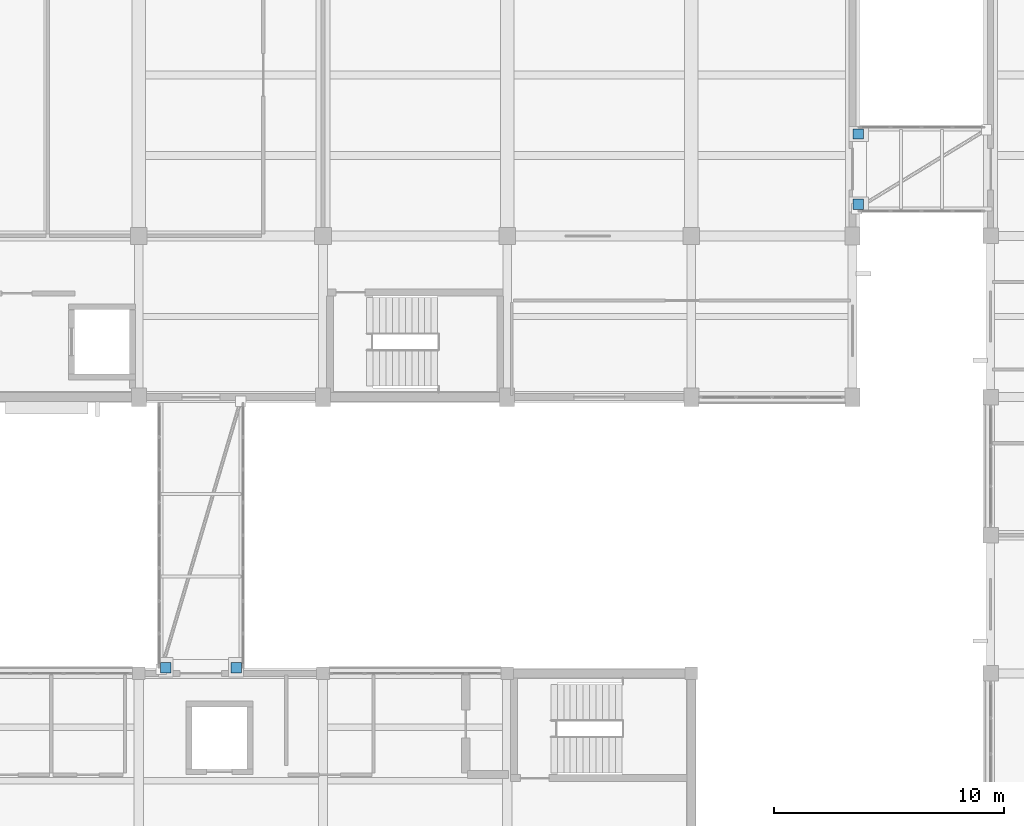
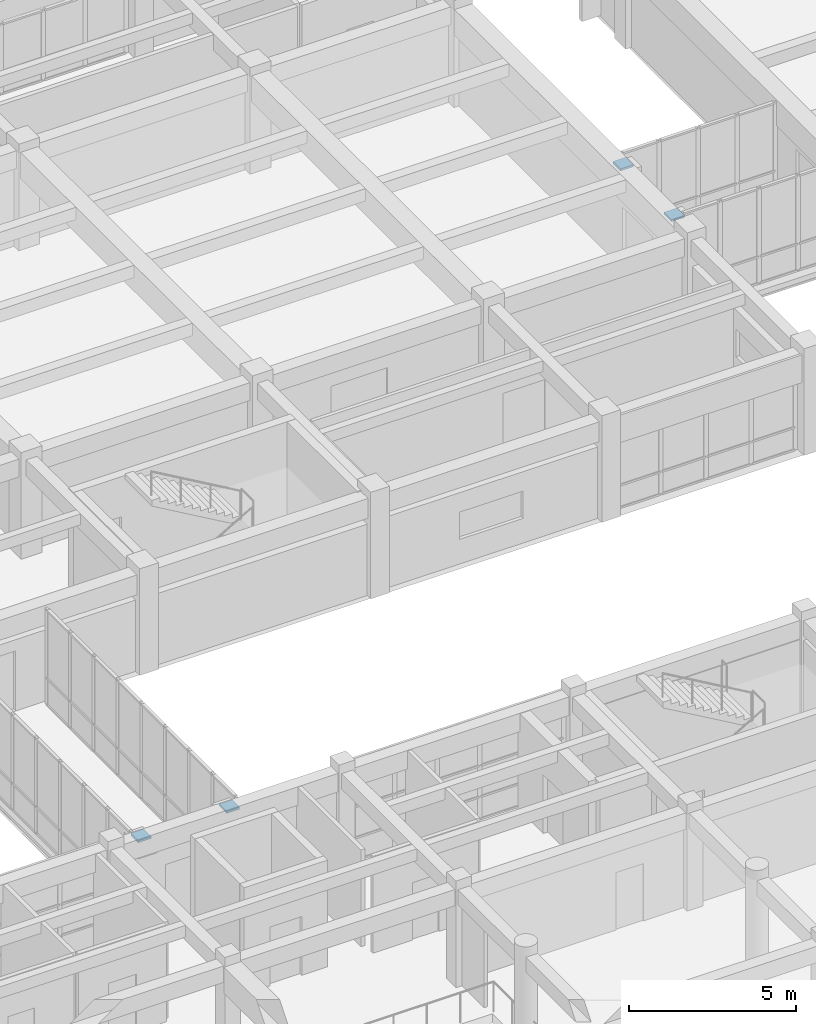
# One storey, part 56 of 66: 4 discrete accessories.
"""IFC4 building model written with IfcOpenShell, lengths in metres."""

from ifc_helpers import new_model, si_unit, direction, frame, origin, origin_2d, place, context, subcontext, project, spatial, rectangle, extrude, material, type_object, element, save


model = new_model("IFC4")

# Units and contexts
model_context = context("Model", 3, precision=1e-05, world=origin(), true_north=direction((0.0, 1.0)))
body_context = subcontext(model_context, "Body", "Model", "MODEL_VIEW")
ifc_project = project(units=[si_unit("LENGTHUNIT", "METRE"), si_unit("AREAUNIT", "SQUARE_METRE"), si_unit("VOLUMEUNIT", "CUBIC_METRE"), si_unit("PLANEANGLEUNIT", "RADIAN"), si_unit("MASSUNIT", "GRAM", prefix="KILO")], contexts=[model_context])

# Site, building, storey
site_placement = place(None, origin())
site = spatial("IfcSite", under=ifc_project, at=site_placement, CompositionType="ELEMENT")
building_placement = place(site_placement, origin())
building = spatial("IfcBuilding", under=site, at=building_placement, Name="Naurynzar Civic Courthouse", CompositionType="ELEMENT")
storey_placement = place(building_placement, frame((0.0, 0.0, 14.39990234375)))
storey = spatial("IfcBuildingStorey", under=building, at=storey_placement, Name="L04", CompositionType="ELEMENT", Elevation=14.39990234375)

# Discrete accessories
ifc_material = material(Name="Steel S355", Category="steel")
discrete_accessory_type = type_object("IfcDiscreteAccessoryType", Name="BRG-PTFE-450", PredefinedType="SHOE", material=ifc_material)
for number, where, z_axis, x_axis, name in (
    (1, (94.169921875, 32.25, 3.25), (0.0, 0.0, 1.0), (1.0, 0.0, 0.0), "BR-C1 unguided PTFE sliding bearing L05.1"),
    (2, (97.22998046875, 32.25, 3.25), (0.0, 0.0, 1.0), (1.0, 0.0, 0.0), "BR-C1 unguided PTFE sliding bearing L05.2"),
    (3, (124.25, 52.3701171875, 3.25), (0.0, 0.0, 1.0), (1.0, 0.0, 0.0), "BR-E1 unguided PTFE sliding bearing L05.1"),
    (4, (124.25, 55.429931640625, 3.25), (0.0, 0.0, 1.0), (1.0, 0.0, 0.0), "BR-E1 unguided PTFE sliding bearing L05.2"),
):
    element("IfcDiscreteAccessory", number, at=place(storey_placement, frame(where, z_axis=z_axis, x_axis=x_axis)), inside=storey, type_object=discrete_accessory_type, Name=name, PredefinedType="SHOE", context=body_context, shape_type="SweptSolid", body=[
        extrude(rectangle(XDim=0.449951171875, YDim=0.449951171875, at=origin_2d()), origin(), (0.0, 0.0, 1.0), 0.080078125),
    ])

save(model, "model.ifc")
